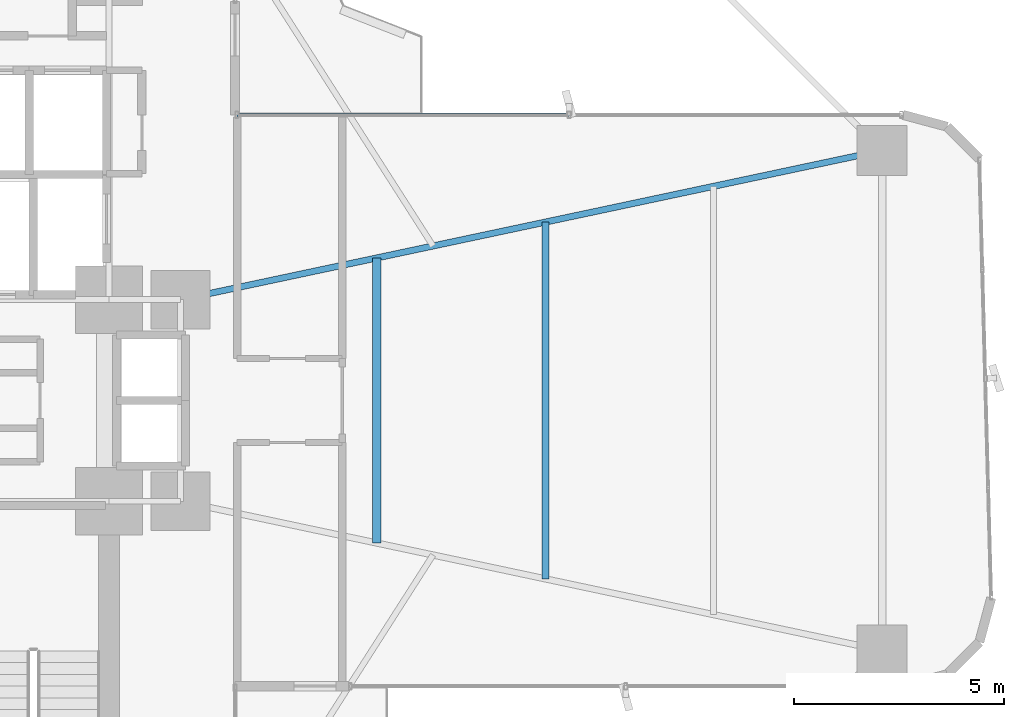
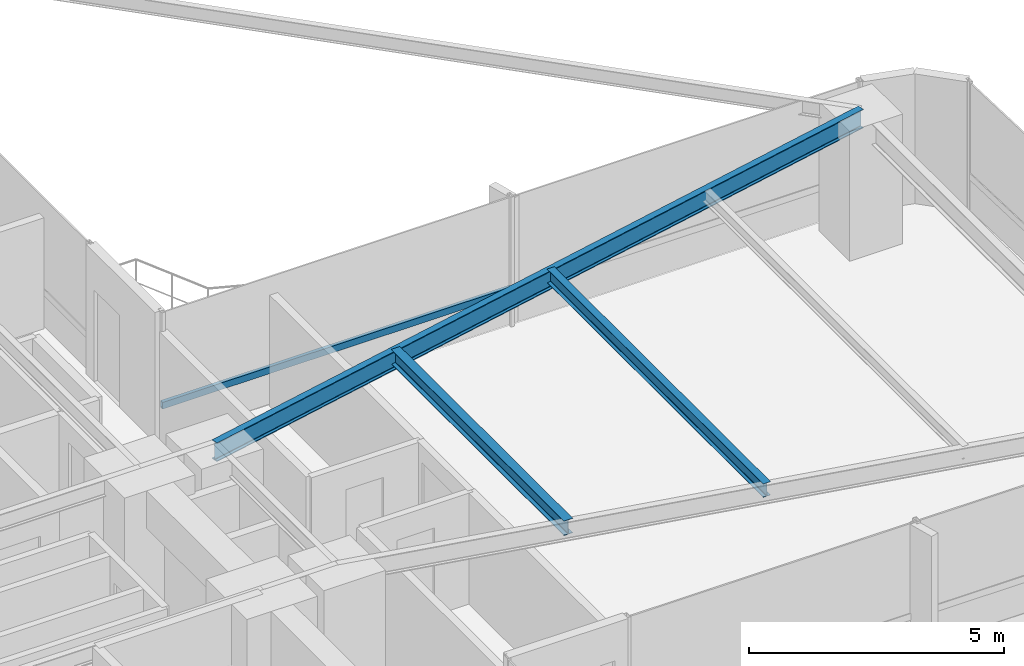
# One storey, part 15 of 25: 3 beams, 1 member, 1 element without a shape of its own.
"""IFC4 building model written with IfcOpenShell, lengths in metres."""

from ifc_helpers import new_model, si_unit, direction, frame, origin, origin_2d, place, context, subcontext, project, spatial, hollow_rectangle, i_section, extrude, source, transform, mapped, material, material_profile, profile_set, type_object, element, aggregate, save


model = new_model("IFC4")

# Units and contexts
model_context = context("Model", 3, precision=1e-05, world=origin(), true_north=direction((0.0, 1.0)))
body_context = subcontext(model_context, "Body", "Model", "MODEL_VIEW")
ifc_project = project(units=[si_unit("LENGTHUNIT", "METRE"), si_unit("AREAUNIT", "SQUARE_METRE"), si_unit("VOLUMEUNIT", "CUBIC_METRE"), si_unit("PLANEANGLEUNIT", "RADIAN"), si_unit("MASSUNIT", "GRAM", prefix="KILO")], contexts=[model_context])

# Site, building, storey
site_placement = place(None, origin())
site = spatial("IfcSite", under=ifc_project, at=site_placement, CompositionType="ELEMENT")
building_placement = place(site_placement, origin())
building = spatial("IfcBuilding", under=site, at=building_placement, Name="Sahyath Konkavel Grand Hotel", CompositionType="ELEMENT")
storey_placement = place(building_placement, frame((0.0, 0.0, 67.800048828125)))
storey = spatial("IfcBuildingStorey", under=building, at=storey_placement, Name="L18", CompositionType="ELEMENT", Elevation=67.800048828125)

# Beams
ifc_material_1 = material(Name="Steel E350", Category="steel")
ifc_material_profile_1 = material_profile(ifc_material_1, i_section(OverallWidth=0.14990234375, OverallDepth=0.449951171875, WebThickness=0.009521484375, FlangeThickness=0.017333984375, FilletRadius=0.014892578125, at=origin_2d()), Name="ISMB 450")
ifc_profile_set_1 = profile_set([ifc_material_profile_1], Name="Steel E350")
beam_type_1 = type_object("IfcBeamType", Name="BM-ISMB450", PredefinedType="BEAM", material=ifc_profile_set_1)
shared_shape_1 = source(origin(), body_context, "Body", "SweptSolid", [
    extrude(i_section(OverallWidth=0.14990234375, OverallDepth=0.449951171875, WebThickness=0.009521484375, FlangeThickness=0.017333984375, FilletRadius=0.014892578125, at=origin_2d()), origin(), (0.0, 0.0, 1.0), 17.072998046875),
])
beam_1_placement = place(storey_placement, frame((5.5, 2.39990234375, 2.885009765625), z_axis=(0.978143257225, 0.20793212437, 0.0), x_axis=(-0.20793212437, 0.978143257225, 0.0)))
element("IfcBeam", 1, at=beam_1_placement, inside=storey, type_object=beam_type_1, Name="L18 Cruciform Radial Girder EB", PredefinedType="BEAM", context=body_context, shape_type="MappedRepresentation", body=[
    mapped(shared_shape_1, transform((0.0, 0.0, 0.0), scale=1.0)),
])
ifc_material_profile_2 = material_profile(ifc_material_1, i_section(OverallWidth=0.199951171875, OverallDepth=0.35009765625, WebThickness=0.008056640625, FlangeThickness=0.011474609375, FilletRadius=0.013916015625, at=origin_2d()), Name="ISWB 350")
ifc_profile_set_2 = profile_set([ifc_material_profile_2], Name="Steel E350")
beam_type_2 = type_object("IfcBeamType", Name="BM-ISWB350", PredefinedType="BEAM", material=ifc_profile_set_2)
shared_shape_2 = source(origin(), body_context, "Body", "SweptSolid", [
    extrude(i_section(OverallWidth=0.199951171875, OverallDepth=0.35009765625, WebThickness=0.008056640625, FlangeThickness=0.011474609375, FilletRadius=0.013916015625, at=origin_2d()), origin(), (0.0, 0.0, 1.0), 6.7880859375),
])
beam_2_placement = place(storey_placement, frame((10.176025390625, -3.39404296875, 2.93505859375), z_axis=(0.0, 1.0, 0.0), x_axis=(-1.0, 0.0, 0.0)))
element("IfcBeam", 2, at=beam_2_placement, inside=storey, type_object=beam_type_2, Name="L18 Secondary Floor Beam E-1", PredefinedType="BEAM", context=body_context, shape_type="MappedRepresentation", body=[
    mapped(shared_shape_2, transform((0.0, 0.0, 0.0), scale=1.0)),
])
ifc_material_profile_3 = material_profile(ifc_material_1, i_section(OverallWidth=0.1650390625, OverallDepth=0.324951171875, WebThickness=0.007080078125, FlangeThickness=0.009765625, FilletRadius=0.014892578125, at=origin_2d()), Name="ISLB 325")
ifc_profile_set_3 = profile_set([ifc_material_profile_3], Name="Steel E350")
beam_type_3 = type_object("IfcBeamType", Name="BM-ISLB325", PredefinedType="BEAM", material=ifc_profile_set_3)
shared_shape_3 = source(origin(), body_context, "Body", "SweptSolid", [
    extrude(i_section(OverallWidth=0.1650390625, OverallDepth=0.324951171875, WebThickness=0.007080078125, FlangeThickness=0.009765625, FilletRadius=0.014892578125, at=origin_2d()), origin(), (0.0, 0.0, 1.0), 8.4921875),
])
beam_3_placement = place(storey_placement, frame((14.18408203125, -4.24609375, 2.947509765625), z_axis=(0.0, 1.0, 0.0), x_axis=(-1.0, 0.0, 0.0)))
element("IfcBeam", 3, at=beam_3_placement, inside=storey, type_object=beam_type_3, Name="L18 Secondary Floor Beam E-2", PredefinedType="BEAM", context=body_context, shape_type="MappedRepresentation", body=[
    mapped(shared_shape_3, transform((0.0, 0.0, 0.0), scale=1.0)),
])

# Curtain wall, member
ifc_material_2 = material(Name="Anodised Bronze Aluminium & Low-E Glazing", Category="aluminium")
curtain_wall_type = type_object("IfcCurtainWallType", Name="CW-ZONE1", PredefinedType="NOTDEFINED", material=ifc_material_2)
curtain_wall_placement = place(storey_placement, origin())
curtain_wall = element("IfcCurtainWall", 4, at=curtain_wall_placement, inside=storey, type_object=curtain_wall_type, Name="L18 Unitised Curtain Wall F7", PredefinedType="NOTDEFINED")
ifc_material_3 = material(Name="Anodised Bronze Aluminium", Category="aluminium")
ifc_material_profile_4 = material_profile(ifc_material_3, hollow_rectangle(XDim=0.080078125, YDim=0.159912109375, WallThickness=0.006103515625, at=origin_2d()), Name="RHS 160x80x6")
ifc_profile_set_4 = profile_set([ifc_material_profile_4], Name="Anodised Bronze Aluminium")
member_type = type_object("IfcMemberType", Name="CW-TRN-160", PredefinedType="USERDEFINED", material=ifc_profile_set_4)
shared_shape_4 = source(origin(), body_context, "Body", "SweptSolid", [
    extrude(hollow_rectangle(XDim=0.080078125, YDim=0.159912109375, WallThickness=0.006103515625, at=origin_2d()), origin(), (0.0, 0.0, 1.0), 7.909912109375),
])
member_placement = place(storey_placement, frame((14.75, 6.800048828125, 0.849853515625), z_axis=(-1.0, 0.0, 0.0), x_axis=(0.0, -1.0, 0.0)))
member = element("IfcMember", 5, at=member_placement, type_object=member_type, Name="L18 Curtain Wall Transom F7-1-spandrel", ObjectType="TRANSOM", PredefinedType="USERDEFINED", context=body_context, shape_type="MappedRepresentation", body=[
    mapped(shared_shape_4, transform((0.0, 0.0, 0.0), scale=1.0)),
])
aggregate(curtain_wall, [member])

save(model, "model.ifc")
